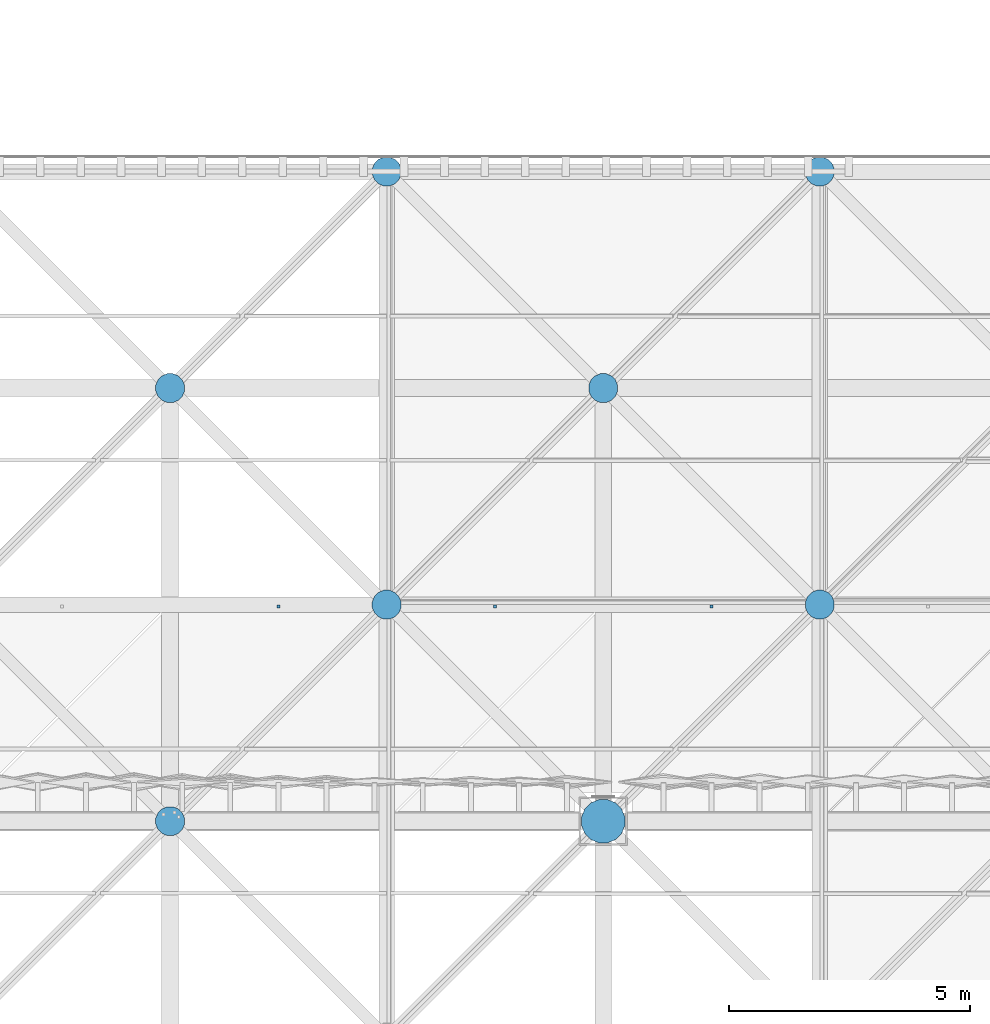
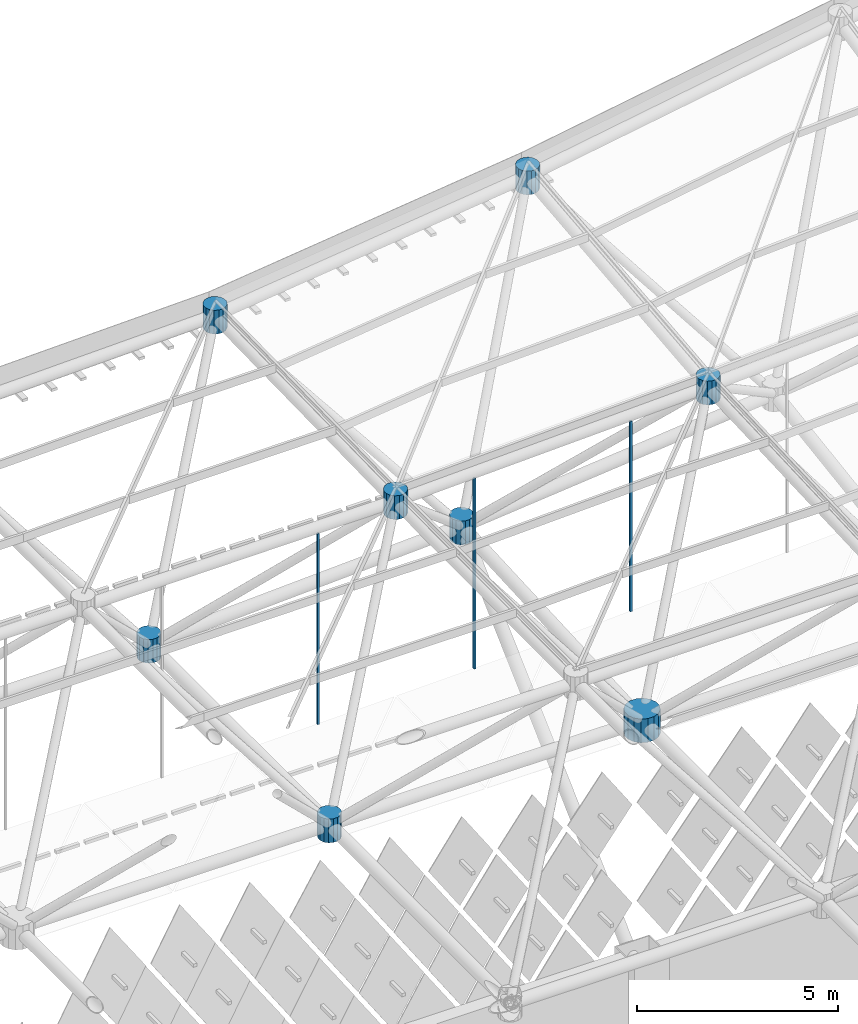
# One storey, part 330 of 437: 11 discrete accessories.
"""IFC4 building model written with IfcOpenShell, lengths in metres."""

from ifc_helpers import new_model, si_unit, direction, frame, origin, place, context, subcontext, project, spatial, polyline, outline, extrude, material, type_object, element, save


model = new_model("IFC4")

# Units and contexts
model_context = context("Model", 3, precision=1e-05, world=origin(), true_north=direction((0.0, 1.0)))
body_context = subcontext(model_context, "Body", "Model", "MODEL_VIEW")
ifc_project = project(units=[si_unit("LENGTHUNIT", "METRE"), si_unit("AREAUNIT", "SQUARE_METRE"), si_unit("VOLUMEUNIT", "CUBIC_METRE"), si_unit("PLANEANGLEUNIT", "RADIAN"), si_unit("MASSUNIT", "GRAM", prefix="KILO")], contexts=[model_context])

# Site, building, storey
site_placement = place(None, origin())
site = spatial("IfcSite", under=ifc_project, at=site_placement, CompositionType="ELEMENT")
building_placement = place(site_placement, origin())
building = spatial("IfcBuilding", under=site, at=building_placement, Name="Opaline Strait Convention Centre", CompositionType="ELEMENT")
storey_placement = place(building_placement, frame((0.0, 0.0, 11.5)))
storey = spatial("IfcBuildingStorey", under=building, at=storey_placement, Name="L02", CompositionType="ELEMENT", Elevation=11.5)

# Discrete accessories
ifc_material_1 = material(Name="Steel Q355B", Category="steel")
discrete_accessory_type_1 = type_object("IfcDiscreteAccessoryType", Name="Soffit hanger 60x60 steel", PredefinedType="BRACKET", material=ifc_material_1)
discrete_accessory_1_placement = place(storey_placement, frame((0.0, 0.0, 12.051513671875)))
element("IfcDiscreteAccessory", 1, at=discrete_accessory_1_placement, inside=storey, type_object=discrete_accessory_type_1, Name="Soffit hanger", PredefinedType="BRACKET", context=body_context, shape_type="SweptSolid", body=[
    extrude(outline(polyline([(218.219970703125, 157.43505859375), (218.280029296875, 157.43505859375), (218.280029296875, 157.4951171875), (218.219970703125, 157.4951171875), (218.219970703125, 157.43505859375)])), origin(), (0.0, 0.0, 1.0), 5.806640625),
])
discrete_accessory_2_placement = place(storey_placement, frame((0.0, 0.0, 12.1640625)))
element("IfcDiscreteAccessory", 2, at=discrete_accessory_2_placement, inside=storey, type_object=discrete_accessory_type_1, Name="Soffit hanger", PredefinedType="BRACKET", context=body_context, shape_type="SweptSolid", body=[
    extrude(outline(polyline([(222.719970703125, 157.43505859375), (222.780029296875, 157.43505859375), (222.780029296875, 157.4951171875), (222.719970703125, 157.4951171875), (222.719970703125, 157.43505859375)])), origin(), (0.0, 0.0, 1.0), 5.79443359375),
])
discrete_accessory_3_placement = place(storey_placement, frame((0.0, 0.0, 12.332763671875)))
element("IfcDiscreteAccessory", 3, at=discrete_accessory_3_placement, inside=storey, type_object=discrete_accessory_type_1, Name="Soffit hanger", PredefinedType="BRACKET", context=body_context, shape_type="SweptSolid", body=[
    extrude(outline(polyline([(227.219970703125, 157.43505859375), (227.280029296875, 157.43505859375), (227.280029296875, 157.4951171875), (227.219970703125, 157.4951171875), (227.219970703125, 157.43505859375)])), origin(), (0.0, 0.0, 1.0), 5.7939453125),
])
ifc_material_2 = material(Name="Cast steel ZG300-500H (300 MPa)", Category="steel")
discrete_accessory_type_2 = type_object("IfcDiscreteAccessoryType", Name="Space frame bearing node hub D900", PredefinedType="USERDEFINED", material=ifc_material_2)
discrete_accessory_4_placement = place(storey_placement, frame((0.0, 0.0, 12.139892578125)))
element("IfcDiscreteAccessory", 4, at=discrete_accessory_4_placement, inside=storey, type_object=discrete_accessory_type_2, Name="Bottom node 16/13", ObjectType="NODE HUB", PredefinedType="USERDEFINED", context=body_context, shape_type="SweptSolid", body=[
    extrude(outline(polyline([(225.449951171875, 153.089599609375), (225.381591796875, 153.2548828125), (225.2548828125, 153.381591796875), (225.089599609375, 153.449951171875), (224.910400390625, 153.449951171875), (224.7451171875, 153.381591796875), (224.618408203125, 153.2548828125), (224.550048828125, 153.089599609375), (224.550048828125, 152.910400390625), (224.618408203125, 152.7451171875), (224.7451171875, 152.618408203125), (224.910400390625, 152.550048828125), (225.089599609375, 152.550048828125), (225.2548828125, 152.618408203125), (225.381591796875, 152.7451171875), (225.449951171875, 152.910400390625), (225.449951171875, 153.089599609375)])), origin(), (0.0, 0.0, 1.0), 0.72021484375),
])
discrete_accessory_type_3 = type_object("IfcDiscreteAccessoryType", Name="Space frame node hub D600", PredefinedType="USERDEFINED", material=ifc_material_2)
discrete_accessory_5_placement = place(storey_placement, frame((0.0, 0.0, 17.677001953125)))
element("IfcDiscreteAccessory", 5, at=discrete_accessory_5_placement, inside=storey, type_object=discrete_accessory_type_3, Name="Top node 16/14", ObjectType="NODE HUB", PredefinedType="USERDEFINED", context=body_context, shape_type="SweptSolid", body=[
    extrude(outline(polyline([(220.800048828125, 157.559814453125), (220.75439453125, 157.669921875), (220.669921875, 157.75439453125), (220.559814453125, 157.800048828125), (220.440185546875, 157.800048828125), (220.330078125, 157.75439453125), (220.24560546875, 157.669921875), (220.199951171875, 157.559814453125), (220.199951171875, 157.440185546875), (220.24560546875, 157.330078125), (220.330078125, 157.24560546875), (220.440185546875, 157.199951171875), (220.559814453125, 157.199951171875), (220.669921875, 157.24560546875), (220.75439453125, 157.330078125), (220.800048828125, 157.440185546875), (220.800048828125, 157.559814453125)])), origin(), (0.0, 0.0, 1.0), 0.719970703125),
])
discrete_accessory_6_placement = place(storey_placement, frame((0.0, 0.0, 17.8642578125)))
element("IfcDiscreteAccessory", 6, at=discrete_accessory_6_placement, inside=storey, type_object=discrete_accessory_type_3, Name="Top node 16/15", ObjectType="NODE HUB", PredefinedType="USERDEFINED", context=body_context, shape_type="SweptSolid", body=[
    extrude(outline(polyline([(220.800048828125, 166.559814453125), (220.75439453125, 166.669921875), (220.669921875, 166.75439453125), (220.559814453125, 166.800048828125), (220.440185546875, 166.800048828125), (220.330078125, 166.75439453125), (220.24560546875, 166.669921875), (220.199951171875, 166.559814453125), (220.199951171875, 166.440185546875), (220.24560546875, 166.330078125), (220.330078125, 166.24560546875), (220.440185546875, 166.199951171875), (220.559814453125, 166.199951171875), (220.669921875, 166.24560546875), (220.75439453125, 166.330078125), (220.800048828125, 166.440185546875), (220.800048828125, 166.559814453125)])), origin(), (0.0, 0.0, 1.0), 0.719970703125),
])
discrete_accessory_7_placement = place(storey_placement, frame((0.0, 0.0, 18.013427734375)))
element("IfcDiscreteAccessory", 7, at=discrete_accessory_7_placement, inside=storey, type_object=discrete_accessory_type_3, Name="Top node 17/14", ObjectType="NODE HUB", PredefinedType="USERDEFINED", context=body_context, shape_type="SweptSolid", body=[
    extrude(outline(polyline([(229.800048828125, 157.559814453125), (229.75439453125, 157.669921875), (229.669921875, 157.75439453125), (229.559814453125, 157.800048828125), (229.440185546875, 157.800048828125), (229.330078125, 157.75439453125), (229.24560546875, 157.669921875), (229.199951171875, 157.559814453125), (229.199951171875, 157.440185546875), (229.24560546875, 157.330078125), (229.330078125, 157.24560546875), (229.440185546875, 157.199951171875), (229.559814453125, 157.199951171875), (229.669921875, 157.24560546875), (229.75439453125, 157.330078125), (229.800048828125, 157.440185546875), (229.800048828125, 157.559814453125)])), origin(), (0.0, 0.0, 1.0), 0.719970703125),
])
discrete_accessory_8_placement = place(storey_placement, frame((0.0, 0.0, 18.951416015625)))
element("IfcDiscreteAccessory", 8, at=discrete_accessory_8_placement, inside=storey, type_object=discrete_accessory_type_3, Name="Top node 17/15", ObjectType="NODE HUB", PredefinedType="USERDEFINED", context=body_context, shape_type="SweptSolid", body=[
    extrude(outline(polyline([(229.800048828125, 166.559814453125), (229.75439453125, 166.669921875), (229.669921875, 166.75439453125), (229.559814453125, 166.800048828125), (229.440185546875, 166.800048828125), (229.330078125, 166.75439453125), (229.24560546875, 166.669921875), (229.199951171875, 166.559814453125), (229.199951171875, 166.440185546875), (229.24560546875, 166.330078125), (229.330078125, 166.24560546875), (229.440185546875, 166.199951171875), (229.559814453125, 166.199951171875), (229.669921875, 166.24560546875), (229.75439453125, 166.330078125), (229.800048828125, 166.440185546875), (229.800048828125, 166.559814453125)])), origin(), (0.0, 0.0, 1.0), 0.719970703125),
])
discrete_accessory_9_placement = place(storey_placement, frame((0.0, 0.0, 12.139892578125)))
element("IfcDiscreteAccessory", 9, at=discrete_accessory_9_placement, inside=storey, type_object=discrete_accessory_type_3, Name="Bottom node 15/13", ObjectType="NODE HUB", PredefinedType="USERDEFINED", context=body_context, shape_type="SweptSolid", body=[
    extrude(outline(polyline([(216.300048828125, 153.059814453125), (216.25439453125, 153.169921875), (216.169921875, 153.25439453125), (216.059814453125, 153.300048828125), (215.940185546875, 153.300048828125), (215.830078125, 153.25439453125), (215.74560546875, 153.169921875), (215.699951171875, 153.059814453125), (215.699951171875, 152.940185546875), (215.74560546875, 152.830078125), (215.830078125, 152.74560546875), (215.940185546875, 152.699951171875), (216.059814453125, 152.699951171875), (216.169921875, 152.74560546875), (216.25439453125, 152.830078125), (216.300048828125, 152.940185546875), (216.300048828125, 153.059814453125)])), origin(), (0.0, 0.0, 1.0), 0.72021484375),
])
discrete_accessory_10_placement = place(storey_placement, frame((0.0, 0.0, 12.14892578125)))
element("IfcDiscreteAccessory", 10, at=discrete_accessory_10_placement, inside=storey, type_object=discrete_accessory_type_3, Name="Bottom node 15/14", ObjectType="NODE HUB", PredefinedType="USERDEFINED", context=body_context, shape_type="SweptSolid", body=[
    extrude(outline(polyline([(216.300048828125, 162.059814453125), (216.25439453125, 162.169921875), (216.169921875, 162.25439453125), (216.059814453125, 162.300048828125), (215.940185546875, 162.300048828125), (215.830078125, 162.25439453125), (215.74560546875, 162.169921875), (215.699951171875, 162.059814453125), (215.699951171875, 161.940185546875), (215.74560546875, 161.830078125), (215.830078125, 161.74560546875), (215.940185546875, 161.699951171875), (216.059814453125, 161.699951171875), (216.169921875, 161.74560546875), (216.25439453125, 161.830078125), (216.300048828125, 161.940185546875), (216.300048828125, 162.059814453125)])), origin(), (0.0, 0.0, 1.0), 0.719970703125),
])
discrete_accessory_11_placement = place(storey_placement, frame((0.0, 0.0, 12.599365234375)))
element("IfcDiscreteAccessory", 11, at=discrete_accessory_11_placement, inside=storey, type_object=discrete_accessory_type_3, Name="Bottom node 16/14", ObjectType="NODE HUB", PredefinedType="USERDEFINED", context=body_context, shape_type="SweptSolid", body=[
    extrude(outline(polyline([(225.300048828125, 162.059814453125), (225.25439453125, 162.169921875), (225.169921875, 162.25439453125), (225.059814453125, 162.300048828125), (224.940185546875, 162.300048828125), (224.830078125, 162.25439453125), (224.74560546875, 162.169921875), (224.699951171875, 162.059814453125), (224.699951171875, 161.940185546875), (224.74560546875, 161.830078125), (224.830078125, 161.74560546875), (224.940185546875, 161.699951171875), (225.059814453125, 161.699951171875), (225.169921875, 161.74560546875), (225.25439453125, 161.830078125), (225.300048828125, 161.940185546875), (225.300048828125, 162.059814453125)])), origin(), (0.0, 0.0, 1.0), 0.719970703125),
])

save(model, "model.ifc")
